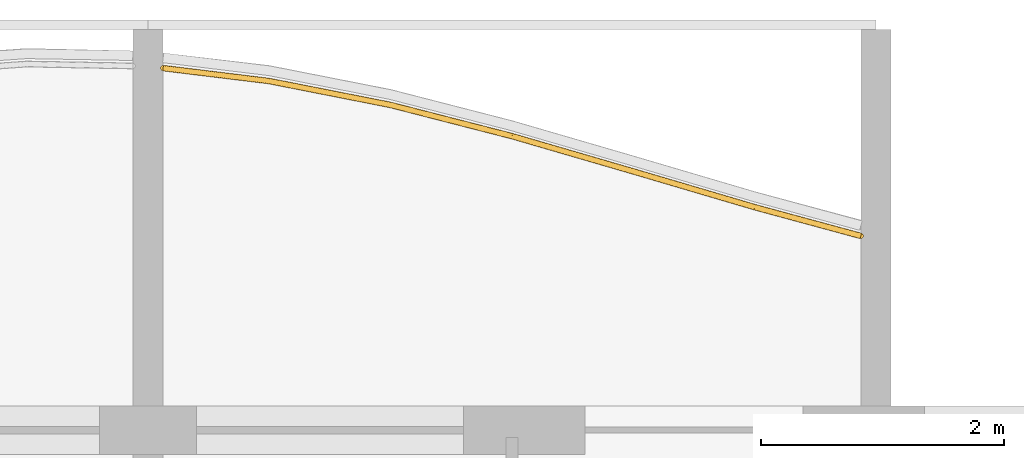
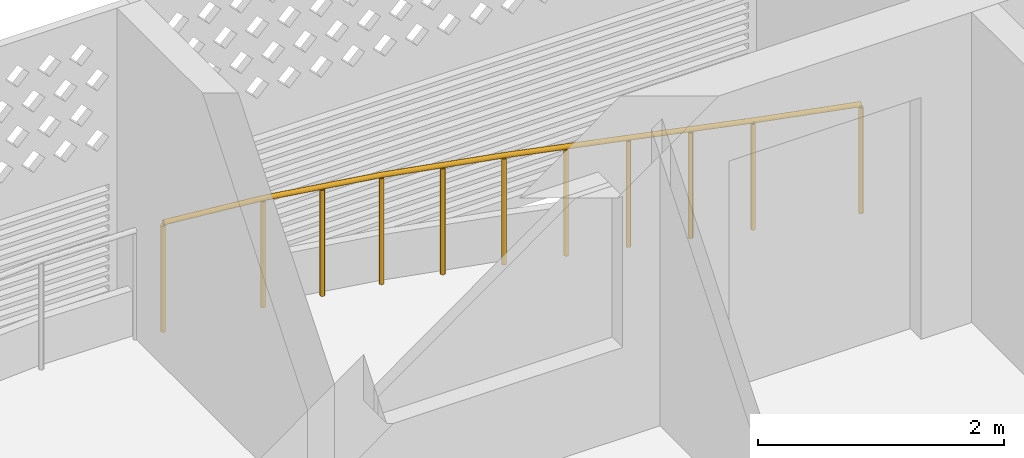
# One storey, part 17 of 28: 1 railing.
"""IFC4 building model written with IfcOpenShell, lengths in metres."""

from ifc_helpers import new_model, si_unit, direction, frame, origin, origin_2d, place, context, subcontext, project, spatial, circle, extrude, material, type_object, element, save


model = new_model("IFC4")

# Units and contexts
model_context = context("Model", 3, precision=1e-05, world=origin(), true_north=direction((0.0, 1.0)))
body_context = subcontext(model_context, "Body", "Model", "MODEL_VIEW")
ifc_project = project(units=[si_unit("LENGTHUNIT", "METRE"), si_unit("AREAUNIT", "SQUARE_METRE"), si_unit("VOLUMEUNIT", "CUBIC_METRE"), si_unit("PLANEANGLEUNIT", "RADIAN"), si_unit("MASSUNIT", "GRAM", prefix="KILO")], contexts=[model_context])

# Site, building, storey
site_placement = place(None, origin())
site = spatial("IfcSite", under=ifc_project, at=site_placement, CompositionType="ELEMENT")
building_placement = place(site_placement, origin())
building = spatial("IfcBuilding", under=site, at=building_placement, Name="Poui Terraces", CompositionType="ELEMENT")
storey_placement = place(building_placement, frame((0.0, 0.0, 181.800048828125)))
storey = spatial("IfcBuildingStorey", under=building, at=storey_placement, Name="L50", CompositionType="ELEMENT", Elevation=181.800048828125)

# Railing
ifc_material = material(Name="Painted steel fretwork", Category="steel")
railing_type = type_object("IfcRailingType", Name="BALCONY GUARD 1100", PredefinedType="GUARDRAIL", material=ifc_material)
railing_placement = place(storey_placement, frame((30.125, 44.18359375, 0.0)))
element("IfcRailing", 1, at=railing_placement, inside=storey, type_object=railing_type, Name="BALCONY GUARD", PredefinedType="GUARDRAIL", context=body_context, shape_type="SweptSolid", body=[
    extrude(circle(Radius=0.02392578125, at=origin_2d()), frame((0.0, 0.0, 1.076171875), z_axis=(0.992648312578, -0.121034406416, 0.0), x_axis=(0.121034406416, 0.992648312578, 0.0)), (0.0, 0.0, 1.0), 0.881591796875),
    extrude(circle(Radius=0.02392578125, at=origin_2d()), frame((0.875, -0.106689453125, 1.076171875), z_axis=(0.981138637459, -0.19330539073, 0.0), x_axis=(0.19330539073, 0.981138637459, 0.0)), (0.0, 0.0, 1.0), 1.019287109375),
    extrude(circle(Radius=0.02392578125, at=origin_2d()), frame((1.875, -0.3037109375, 1.076171875), z_axis=(0.968564592705, -0.248762195197, 0.0), x_axis=(0.248762195197, 0.968564592705, 0.0)), (0.0, 0.0, 1.0), 1.032470703125),
    extrude(circle(Radius=0.02392578125, at=origin_2d()), frame((2.875, -0.560546875, 1.076171875), z_axis=(0.960230728662, -0.279207714316, 0.0), x_axis=(0.279207714316, 0.960230728662, 0.0)), (0.0, 0.0, 1.0), 1.04150390625),
    extrude(circle(Radius=0.02392578125, at=origin_2d()), frame((3.875, -0.851318359375, 1.076171875), z_axis=(0.959219941058, -0.282660758998, 0.0), x_axis=(0.282660758998, 0.959219941058, 0.0)), (0.0, 0.0, 1.0), 1.04248046875),
    extrude(circle(Radius=0.02392578125, at=origin_2d()), frame((4.875, -1.14599609375, 1.076171875), z_axis=(0.965203717149, -0.261499109752, 0.0), x_axis=(0.261499109752, 0.965203717149, 0.0)), (0.0, 0.0, 1.0), 0.906494140625),
    extrude(circle(Radius=0.02099609375, at=origin_2d()), origin(), (0.0, 0.0, 1.0), 1.052001953125),
    extrude(circle(Radius=0.02099609375, at=origin_2d()), frame((0.875, -0.106689453125, 0.0)), (0.0, 0.0, 1.0), 1.052001953125),
    extrude(circle(Radius=0.02099609375, at=origin_2d()), frame((1.375, -0.205078125, 0.0)), (0.0, 0.0, 1.0), 1.052001953125),
    extrude(circle(Radius=0.02099609375, at=origin_2d()), frame((1.875, -0.3037109375, 0.0)), (0.0, 0.0, 1.0), 1.052001953125),
    extrude(circle(Radius=0.02099609375, at=origin_2d()), frame((2.375, -0.43212890625, 0.0)), (0.0, 0.0, 1.0), 1.052001953125),
    extrude(circle(Radius=0.02099609375, at=origin_2d()), frame((2.875, -0.560546875, 0.0)), (0.0, 0.0, 1.0), 1.052001953125),
    extrude(circle(Radius=0.02099609375, at=origin_2d()), frame((3.375, -0.7060546875, 0.0)), (0.0, 0.0, 1.0), 1.052001953125),
    extrude(circle(Radius=0.02099609375, at=origin_2d()), frame((3.875, -0.851318359375, 0.0)), (0.0, 0.0, 1.0), 1.052001953125),
    extrude(circle(Radius=0.02099609375, at=origin_2d()), frame((4.375, -0.99853515625, 0.0)), (0.0, 0.0, 1.0), 1.052001953125),
    extrude(circle(Radius=0.02099609375, at=origin_2d()), frame((4.875, -1.14599609375, 0.0)), (0.0, 0.0, 1.0), 1.052001953125),
    extrude(circle(Radius=0.02099609375, at=origin_2d()), frame((5.75, -1.383056640625, 0.0)), (0.0, 0.0, 1.0), 1.052001953125),
])

save(model, "model.ifc")
